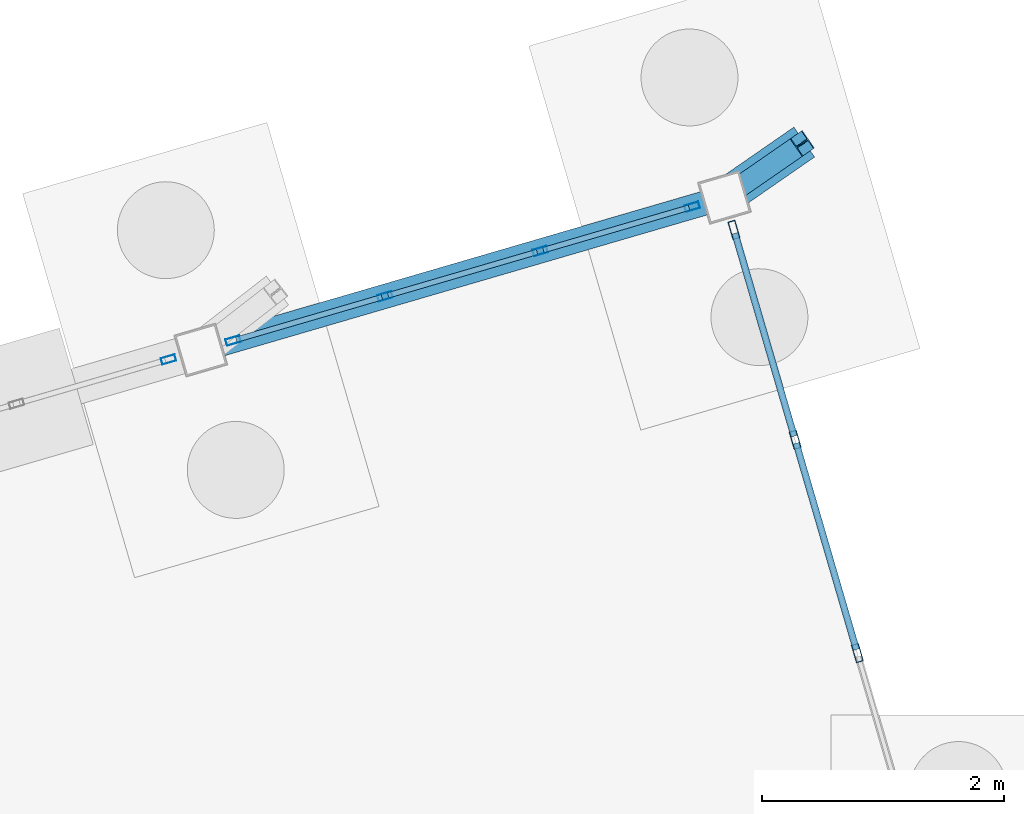
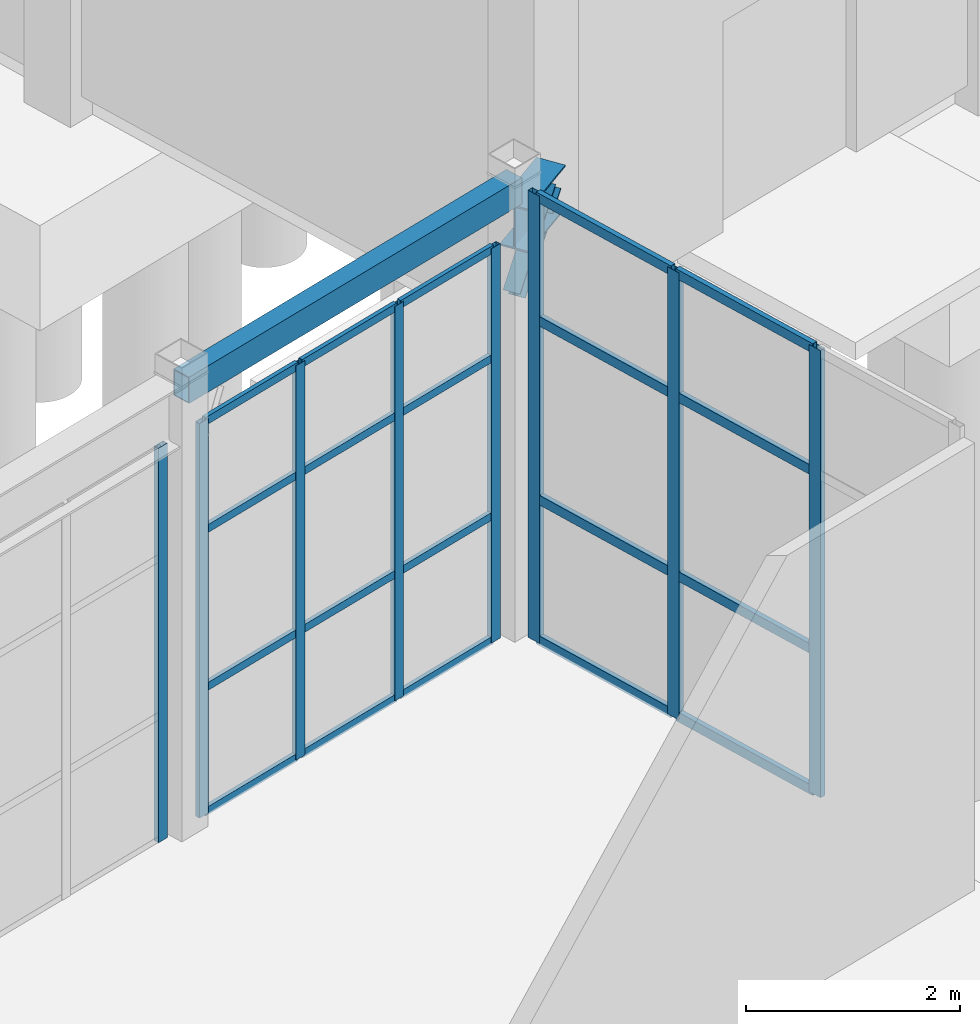
# One storey, part 46 of 90: 29 members, 2 beams, 3 elements without a shape of their own.
"""IFC4 building model written with IfcOpenShell, lengths in metres."""

import ifcopenshell
import ifcopenshell.guid

model = None  # the IFC model being written
_history = None  # IfcOwnerHistory: only IFC2X3 demands one
_inside = {}  # id of a spatial element -> (the spatial element, [elements in it])
_under = {}  # id of a project, library or spatial element -> (it, [spatial elements below it])
_declared = {}  # id of a project -> (the project, [libraries it declares])
_typed = {}  # id of a type object -> (the type object, [elements of that type])
_made_of = {}  # id of a material, layer set ... -> (it, [elements and type objects made of it])


def new_model(schema):
    """Start an empty IFC model of exactly this schema.

    Asked for "IFC4X3", IfcOpenShell would pick the latest addendum, in which some entities
    have other attributes; the version numbers below select the first issue.
    IFC2X3 requires an IfcOwnerHistory on every rooted entity: one is made here for all.
    """
    global model, _history
    if schema == "IFC4X3":
        model = ifcopenshell.file(schema_version=(4, 3, 0, 0))
    else:
        model = ifcopenshell.file(schema=schema)
    _inside.clear()
    _under.clear()
    _declared.clear()
    _typed.clear()
    _made_of.clear()
    _history = None
    if model.schema == "IFC2X3":
        org = make("IfcOrganization", Name="unknown")
        user = make(
            "IfcPersonAndOrganization",
            ThePerson=make("IfcPerson", FamilyName="unknown"),
            TheOrganization=org,
        )
        app = make(
            "IfcApplication",
            ApplicationDeveloper=org,
            Version="unknown",
            ApplicationFullName="unknown",
            ApplicationIdentifier="unknown",
        )
        _history = make(
            "IfcOwnerHistory",
            OwningUser=user,
            OwningApplication=app,
            ChangeAction="ADDED",
            CreationDate=0,
        )
    return model


def make(cls, **values):
    """One entity of the class cls with the attributes given. An attribute that is None is left unset."""
    return model.create_entity(
        cls, **{name: value for name, value in values.items() if value is not None}
    )


def rooted(cls, **values):
    """An entity with a GlobalId (a new one), such as an element, a storey or a relation."""
    return make(cls, GlobalId=ifcopenshell.guid.new(), OwnerHistory=_history, **values)


def si_unit(unit_type, name, prefix=None):
    """IfcSIUnit, for example si_unit("LENGTHUNIT", "METRE", prefix="MILLI")."""
    return make("IfcSIUnit", UnitType=unit_type, Prefix=prefix, Name=name)


def assignment(units):
    """IfcUnitAssignment: the units of a project."""
    return None if units is None else make("IfcUnitAssignment", Units=units)


def point(xyz):
    """IfcCartesianPoint."""
    return None if xyz is None else make("IfcCartesianPoint", Coordinates=xyz)


def direction(xyz):
    """IfcDirection."""
    return None if xyz is None else make("IfcDirection", DirectionRatios=xyz)


def frame(location, z_axis=None, x_axis=None):
    """IfcAxis2Placement3D, a coordinate frame: its origin and axes. An axis left out is left unset."""
    return make(
        "IfcAxis2Placement3D",
        Location=point(location),
        Axis=direction(z_axis),
        RefDirection=direction(x_axis),
    )


def frame_2d(location, x_axis=None):
    """IfcAxis2Placement2D, a coordinate frame in the plane: its origin and x axis."""
    return make(
        "IfcAxis2Placement2D", Location=point(location), RefDirection=direction(x_axis)
    )


def origin():
    """The frame at (0, 0, 0) with its axes left unset."""
    return frame((0.0, 0.0, 0.0))


def origin_2d():
    """The frame at (0, 0) in the plane with its x axis left unset."""
    return frame_2d((0.0, 0.0))


def place(relative_to, where):
    """IfcLocalPlacement: puts the frame where relative to a parent placement (None: the world)."""
    return make(
        "IfcLocalPlacement", PlacementRelTo=relative_to, RelativePlacement=where
    )


def context(
    kind, dimensions, precision=None, world=None, true_north=None, identifier=None
):
    """IfcGeometricRepresentationContext, for example the 3D "Model" context."""
    return make(
        "IfcGeometricRepresentationContext",
        ContextIdentifier=identifier,
        ContextType=kind,
        CoordinateSpaceDimension=dimensions,
        Precision=precision,
        WorldCoordinateSystem=world,
        TrueNorth=true_north,
    )


def subcontext(parent, identifier, kind, view, scale=None):
    """IfcGeometricRepresentationSubContext, for example "Body" below "Model"."""
    return make(
        "IfcGeometricRepresentationSubContext",
        ContextIdentifier=identifier,
        ContextType=kind,
        ParentContext=parent,
        TargetScale=scale,
        TargetView=view,
    )


def project(units=None, contexts=None):
    """IfcProject with its units and contexts."""
    return rooted(
        "IfcProject",
        Name="project",
        RepresentationContexts=contexts,
        UnitsInContext=assignment(units),
    )


def spatial(cls, under=None, at=None, **own):
    """A site, building, storey or space (cls), placed at a placement, below another one or the project."""
    s = rooted(cls, ObjectPlacement=at, **own)
    if under is not None:
        _under.setdefault(under.id(), (under, []))[1].append(s)
    return s


def profile(cls, at=None, kind="AREA", **sizes):
    """A parametric profile (cls). Its sizes go by their IFC names, for example OverallWidth=200.0."""
    return make(cls, ProfileType=kind, Position=at, **sizes)


def hollow_rectangle(**sizes):
    """IfcRectangleHollowProfileDef."""
    return profile("IfcRectangleHollowProfileDef", **sizes)


def i_section(**sizes):
    """IfcIShapeProfileDef."""
    return profile("IfcIShapeProfileDef", **sizes)


def extrude(swept, where, along, depth):
    """IfcExtrudedAreaSolid: the profile swept, set in the frame where, extruded along a direction by depth."""
    return make(
        "IfcExtrudedAreaSolid",
        SweptArea=swept,
        Position=where,
        ExtrudedDirection=direction(along),
        Depth=depth,
    )


def shape(context_of_items, identifier, shape_type, items):
    """IfcShapeRepresentation: the items that make up one representation, for example the "Body"."""
    return make(
        "IfcShapeRepresentation",
        ContextOfItems=context_of_items,
        RepresentationIdentifier=identifier,
        RepresentationType=shape_type,
        Items=items,
    )


def material(Name=None, Category=None):
    """IfcMaterial."""
    return make("IfcMaterial", Name=Name, Category=Category)


def layer(
    of_material, thickness, ventilated=None, Name=None, Category=None, Priority=None
):
    """IfcMaterialLayer: one layer of a wall or slab, of a material (None: an air gap)."""
    return make(
        "IfcMaterialLayer",
        Material=of_material,
        LayerThickness=thickness,
        IsVentilated=ventilated,
        Name=Name,
        Category=Category,
        Priority=Priority,
    )


def layer_set(layers, Name=None):
    """IfcMaterialLayerSet."""
    return make("IfcMaterialLayerSet", MaterialLayers=layers, LayerSetName=Name)


def material_profile(
    of_material, cross_section, Name=None, Category=None, Priority=None
):
    """IfcMaterialProfile: a cross section and its material."""
    return make(
        "IfcMaterialProfile",
        Name=Name,
        Material=of_material,
        Profile=cross_section,
        Priority=Priority,
        Category=Category,
    )


def profile_set(profiles, Name=None, composite=None):
    """IfcMaterialProfileSet."""
    return make(
        "IfcMaterialProfileSet",
        Name=Name,
        MaterialProfiles=profiles,
        CompositeProfile=composite,
    )


def made_of(thing, what):
    """Note that an element or type object is made of a material, layer set ...; save() writes the relation."""
    if what is not None:
        _made_of.setdefault(what.id(), (what, []))[1].append(thing)
    return thing


def type_object(cls, material=None, **own):
    """A type object (cls), such as IfcWallType, which elements share."""
    return made_of(rooted(cls, **own), material)


def element(
    cls,
    number,
    at=None,
    inside=None,
    cuts=None,
    type_object=None,
    material=None,
    context=None,
    identifier="Body",
    shape_type=None,
    held_by="IfcProductDefinitionShape",
    body=None,
    shapes=None,
    **own,
):
    """One element of the class cls, such as IfcWall. Its Tag is "e" and its number.

    at: its placement. inside: the storey or other place that contains it. cuts: it is an
    opening in that element (IfcRelVoidsElement). A single representation is given by context,
    identifier, shape_type and body (its items); several are given by shapes. held_by: the class
    of the entity that holds the representations. save() writes the other relations.
    """
    e = rooted(cls, Tag="e%d" % number, ObjectPlacement=at, **own)
    if body is not None:
        shapes = [shape(context, identifier, shape_type, body)]
    if shapes is not None:
        e.Representation = make(held_by, Representations=shapes)
    if inside is not None:
        _inside.setdefault(inside.id(), (inside, []))[1].append(e)
    if cuts is not None:
        rooted(
            "IfcRelVoidsElement", RelatingBuildingElement=cuts, RelatedOpeningElement=e
        )
    if type_object is not None:
        _typed.setdefault(type_object.id(), (type_object, []))[1].append(e)
    return made_of(e, material)


def aggregate(whole, parts):
    """IfcRelAggregates: a whole, such as a stair, and the parts it consists of."""
    return rooted("IfcRelAggregates", RelatingObject=whole, RelatedObjects=parts)


def save(model, path):
    """Write the relations noted so far, then the file.

    IfcRelAggregates (storeys below a building ...), IfcRelContainedInSpatialStructure (elements
    in a storey), IfcRelDefinesByType, IfcRelAssociatesMaterial and IfcRelDeclares: one each for
    every whole, place, type object, material and project.
    """
    for whole, parts in _under.values():
        aggregate(whole, parts)
    for where, things in _inside.values():
        rooted(
            "IfcRelContainedInSpatialStructure",
            RelatedElements=things,
            RelatingStructure=where,
        )
    for kind, things in _typed.values():
        rooted("IfcRelDefinesByType", RelatedObjects=things, RelatingType=kind)
    for what, things in _made_of.values():
        rooted("IfcRelAssociatesMaterial", RelatedObjects=things, RelatingMaterial=what)
    for by, libraries in _declared.values():
        rooted("IfcRelDeclares", RelatingContext=by, RelatedDefinitions=libraries)
    model.write(path)


model = new_model("IFC4")

# Units and contexts
model_context = context("Model", 3, precision=1e-05, world=origin(), true_north=direction((0.0, 1.0)))
body_context = subcontext(model_context, "Body", "Model", "MODEL_VIEW")
ifc_project = project(units=[si_unit("LENGTHUNIT", "METRE"), si_unit("AREAUNIT", "SQUARE_METRE"), si_unit("VOLUMEUNIT", "CUBIC_METRE"), si_unit("PLANEANGLEUNIT", "RADIAN"), si_unit("MASSUNIT", "GRAM", prefix="KILO")], contexts=[model_context])

# Site, building, storey
site_placement = place(None, origin())
site = spatial("IfcSite", under=ifc_project, at=site_placement, CompositionType="ELEMENT")
building_placement = place(site_placement, origin())
building = spatial("IfcBuilding", under=site, at=building_placement, Name="Canggui Botanical Conservatory", CompositionType="ELEMENT")
storey_placement = place(building_placement, origin())
storey = spatial("IfcBuildingStorey", under=building, at=storey_placement, Name="L01", CompositionType="ELEMENT", Elevation=0.0)

# Beams
ifc_material_1 = material(Name="Steel Q355B", Category="steel")
ifc_material_profile_1 = material_profile(ifc_material_1, i_section(OverallWidth=0.300048828125, OverallDepth=0.5, WebThickness=0.010986328125, FlangeThickness=0.01806640625, FilletRadius=0.02392578125, at=origin_2d()), Name="HM 500x300x11x18")
ifc_profile_set_1 = profile_set([ifc_material_profile_1], Name="Steel Q355B")
beam_type_1 = type_object("IfcBeamType", Name="BM-GL01", PredefinedType="BEAM", material=ifc_profile_set_1)
beam_1_placement = place(storey_placement, frame((63.43994140625, 85.919921875, 4.56005859375), z_axis=(0.822159242883, 0.569257568542, 0.0), x_axis=(-0.569257568542, 0.822159242883, 0.0)))
element("IfcBeam", 1, at=beam_1_placement, inside=storey, type_object=beam_type_1, Name="SB-03 Seismic-Joint Structural Bearing Corbel Seat 2", PredefinedType="BEAM", context=body_context, shape_type="SweptSolid", body=[
    extrude(i_section(OverallWidth=0.300048828125, OverallDepth=0.5, WebThickness=0.010986328125, FlangeThickness=0.01806640625, FilletRadius=0.02392578125, at=origin_2d()), origin(), (0.0, 0.0, 1.0), 0.80029296875),
])
ifc_material_profile_2 = material_profile(ifc_material_1, hollow_rectangle(XDim=0.199951171875, YDim=0.300048828125, WallThickness=0.010009765625, at=origin_2d()), Name="RHS 200x300x10")
ifc_profile_set_2 = profile_set([ifc_material_profile_2], Name="Steel Q355B")
beam_type_2 = type_object("IfcBeamType", Name="BM-GL11", PredefinedType="BEAM", material=ifc_profile_set_2)
beam_2_placement = place(storey_placement, frame((59.1201171875, 84.659912109375, 5.02490234375), z_axis=(0.959996353951, 0.280012500437, 0.0), x_axis=(-0.280012500437, 0.959996353951, 0.0)))
element("IfcBeam", 2, at=beam_2_placement, inside=storey, type_object=beam_type_2, Name="Conservatory Skywalk Perimeter Girder V1-14", PredefinedType="BEAM", context=body_context, shape_type="SweptSolid", body=[
    extrude(hollow_rectangle(XDim=0.199951171875, YDim=0.300048828125, WallThickness=0.010009765625, at=origin_2d()), origin(), (0.0, 0.0, 1.0), 4.499755859375),
])

# Curtain wall, members
ifc_material_2 = material(Name="Thermally Broken Aluminium", Category="aluminium")
ifc_layer_1 = layer(ifc_material_2, 0.14990234375, Name="Thermally Broken Aluminium", Category="aluminium")
ifc_layer_set_1 = layer_set([ifc_layer_1], Name="Thermally Broken Aluminium")
curtain_wall_type_1 = type_object("IfcCurtainWallType", Name="CW-UNIT-C", PredefinedType="USERDEFINED", material=ifc_layer_set_1)
curtain_wall_1_placement = place(storey_placement, origin())
curtain_wall_1 = element("IfcCurtainWall", 3, at=curtain_wall_1_placement, inside=storey, type_object=curtain_wall_type_1, Name="Facade Curtain Wall CW-CONS-GABLE-N-05", ObjectType="UNITISED CURTAIN WALL", PredefinedType="USERDEFINED")
ifc_material_profile_3 = material_profile(ifc_material_2, hollow_rectangle(XDim=0.06005859375, YDim=0.14990234375, WallThickness=0.00341796875, at=origin_2d()), Name="CWM 60x150x3.5")
ifc_profile_set_3 = profile_set([ifc_material_profile_3], Name="Thermally Broken Aluminium")
member_type_1 = type_object("IfcMemberType", Name="CWM-03", PredefinedType="MULLION", material=ifc_profile_set_3)
member_1_placement = place(storey_placement, frame((64.53662109375, 82.159912109375, 0.0), z_axis=(0.0, 0.0, 1.0), x_axis=(-0.960000000002, -0.279999999995, 0.0)))
member_1 = element("IfcMember", 4, at=member_1_placement, type_object=member_type_1, Name="CW-03 mullion 2", PredefinedType="MULLION", context=body_context, shape_type="SweptSolid", body=[
    extrude(hollow_rectangle(XDim=0.06005859375, YDim=0.14990234375, WallThickness=0.00341796875, at=origin_2d()), origin(), (0.0, 0.0, 1.0), 5.10009765625),
])
member_2_placement = place(storey_placement, frame((64.0234375, 83.919921875, 0.0), z_axis=(0.0, 0.0, 1.0), x_axis=(-0.960000000002, -0.279999999995, 0.0)))
member_2 = element("IfcMember", 5, at=member_2_placement, type_object=member_type_1, Name="CW-03 mullion 3", PredefinedType="MULLION", context=body_context, shape_type="SweptSolid", body=[
    extrude(hollow_rectangle(XDim=0.06005859375, YDim=0.14990234375, WallThickness=0.00341796875, at=origin_2d()), origin(), (0.0, 0.0, 1.0), 5.10009765625),
])
member_3_placement = place(storey_placement, frame((63.518310546875, 85.651123046875, 0.0), z_axis=(0.0, 0.0, 1.0), x_axis=(-0.960000000002, -0.279999999995, 0.0)))
member_3 = element("IfcMember", 6, at=member_3_placement, type_object=member_type_1, Name="CW-03 mullion 4", PredefinedType="MULLION", context=body_context, shape_type="SweptSolid", body=[
    extrude(hollow_rectangle(XDim=0.06005859375, YDim=0.14990234375, WallThickness=0.00341796875, at=origin_2d()), origin(), (0.0, 0.0, 1.0), 5.10009765625),
])

# Curtain wall, member
ifc_layer_2 = layer(ifc_material_2, 0.1201171875, Name="Thermally Broken Aluminium", Category="aluminium")
ifc_layer_set_2 = layer_set([ifc_layer_2], Name="Thermally Broken Aluminium")
curtain_wall_type_2 = type_object("IfcCurtainWallType", Name="CW-STICK-B", PredefinedType="USERDEFINED", material=ifc_layer_set_2)
curtain_wall_2_placement = place(storey_placement, origin())
curtain_wall_2 = element("IfcCurtainWall", 7, at=curtain_wall_2_placement, inside=storey, type_object=curtain_wall_type_2, Name="Facade Curtain Wall CW-CONS-L01-V1-13", ObjectType="STICK GLAZED WALL", PredefinedType="USERDEFINED")
ifc_material_profile_4 = material_profile(ifc_material_2, hollow_rectangle(XDim=0.054931640625, YDim=0.1201171875, WallThickness=0.0029296875, at=origin_2d()), Name="CWM 55x120x3")
ifc_profile_set_4 = profile_set([ifc_material_profile_4], Name="Thermally Broken Aluminium")
member_type_2 = type_object("IfcMemberType", Name="CWM-05", PredefinedType="MULLION", material=ifc_profile_set_4)
member_4_placement = place(storey_placement, frame((58.853515625, 84.582275390625, 0.0), z_axis=(0.0, 0.0, 1.0), x_axis=(-0.279999999995, 0.960000000002, 0.0)))
member_4 = element("IfcMember", 8, at=member_4_placement, type_object=member_type_2, Name="CW-05 mullion 4", PredefinedType="MULLION", context=body_context, shape_type="SweptSolid", body=[
    extrude(hollow_rectangle(XDim=0.054931640625, YDim=0.1201171875, WallThickness=0.0029296875, at=origin_2d()), origin(), (0.0, 0.0, 1.0), 4.5),
])
aggregate(curtain_wall_2, [member_4])

# Curtain wall, members
curtain_wall_3_placement = place(storey_placement, origin())
curtain_wall_3 = element("IfcCurtainWall", 9, at=curtain_wall_3_placement, inside=storey, type_object=curtain_wall_type_2, Name="Facade Curtain Wall CW-CONS-L01-V1-14", ObjectType="STICK GLAZED WALL", PredefinedType="USERDEFINED")
member_5_placement = place(storey_placement, frame((59.386474609375, 84.73779296875, 0.0), z_axis=(0.0, 0.0, 1.0), x_axis=(-0.279999999995, 0.960000000002, 0.0)))
member_5 = element("IfcMember", 10, at=member_5_placement, type_object=member_type_2, Name="CW-05 mullion 1", PredefinedType="MULLION", context=body_context, shape_type="SweptSolid", body=[
    extrude(hollow_rectangle(XDim=0.054931640625, YDim=0.1201171875, WallThickness=0.0029296875, at=origin_2d()), origin(), (0.0, 0.0, 1.0), 4.5),
])
member_6_placement = place(storey_placement, frame((60.639892578125, 85.103271484375, 0.0), z_axis=(0.0, 0.0, 1.0), x_axis=(-0.279999999995, 0.960000000002, 0.0)))
member_6 = element("IfcMember", 11, at=member_6_placement, type_object=member_type_2, Name="CW-05 mullion 2", PredefinedType="MULLION", context=body_context, shape_type="SweptSolid", body=[
    extrude(hollow_rectangle(XDim=0.054931640625, YDim=0.1201171875, WallThickness=0.0029296875, at=origin_2d()), origin(), (0.0, 0.0, 1.0), 4.5),
])
member_7_placement = place(storey_placement, frame((61.919921875, 85.4765625, 0.0), z_axis=(0.0, 0.0, 1.0), x_axis=(-0.279999999995, 0.960000000002, 0.0)))
member_7 = element("IfcMember", 12, at=member_7_placement, type_object=member_type_2, Name="CW-05 mullion 3", PredefinedType="MULLION", context=body_context, shape_type="SweptSolid", body=[
    extrude(hollow_rectangle(XDim=0.054931640625, YDim=0.1201171875, WallThickness=0.0029296875, at=origin_2d()), origin(), (0.0, 0.0, 1.0), 4.5),
])
member_8_placement = place(storey_placement, frame((63.173583984375, 85.84228515625, 0.0), z_axis=(0.0, 0.0, 1.0), x_axis=(-0.279999999995, 0.960000000002, 0.0)))
member_8 = element("IfcMember", 13, at=member_8_placement, type_object=member_type_2, Name="CW-05 mullion 4", PredefinedType="MULLION", context=body_context, shape_type="SweptSolid", body=[
    extrude(hollow_rectangle(XDim=0.054931640625, YDim=0.1201171875, WallThickness=0.0029296875, at=origin_2d()), origin(), (0.0, 0.0, 1.0), 4.5),
])

# Member
ifc_material_profile_5 = material_profile(ifc_material_2, hollow_rectangle(XDim=0.054931640625, YDim=0.110107421875, WallThickness=0.0029296875, at=origin_2d()), Name="CWT 55x110x3")
ifc_profile_set_5 = profile_set([ifc_material_profile_5], Name="Thermally Broken Aluminium")
member_type_3 = type_object("IfcMemberType", Name="CWT-03", PredefinedType="USERDEFINED", material=ifc_profile_set_5)
member_9_placement = place(storey_placement, frame((64.5283203125, 82.188720703125, 0.027587890625), z_axis=(-0.280026433067, 0.95999228996, 0.0), x_axis=(-0.95999228996, -0.280026433067, 0.0)))
member_9 = element("IfcMember", 14, at=member_9_placement, type_object=member_type_3, Name="CW-03 transom 2.1", ObjectType="TRANSOM", PredefinedType="USERDEFINED", context=body_context, shape_type="SweptSolid", body=[
    extrude(hollow_rectangle(XDim=0.054931640625, YDim=0.110107421875, WallThickness=0.0029296875, at=origin_2d()), origin(), (0.0, 0.0, 1.0), 1.7734375),
])

member_10_placement = place(storey_placement, frame((64.5283203125, 82.188720703125, 1.632080078125), z_axis=(-0.280026433067, 0.95999228996, 0.0), x_axis=(-0.95999228996, -0.280026433067, 0.0)))
member_10 = element("IfcMember", 15, at=member_10_placement, type_object=member_type_3, Name="CW-03 transom 2.2", ObjectType="TRANSOM", PredefinedType="USERDEFINED", context=body_context, shape_type="SweptSolid", body=[
    extrude(hollow_rectangle(XDim=0.054931640625, YDim=0.110107421875, WallThickness=0.0029296875, at=origin_2d()), origin(), (0.0, 0.0, 1.0), 1.7734375),
])

member_11_placement = place(storey_placement, frame((64.5283203125, 82.188720703125, 3.672119140625), z_axis=(-0.280026433067, 0.95999228996, 0.0), x_axis=(-0.95999228996, -0.280026433067, 0.0)))
member_11 = element("IfcMember", 16, at=member_11_placement, type_object=member_type_3, Name="CW-03 transom 2.3", ObjectType="TRANSOM", PredefinedType="USERDEFINED", context=body_context, shape_type="SweptSolid", body=[
    extrude(hollow_rectangle(XDim=0.054931640625, YDim=0.110107421875, WallThickness=0.0029296875, at=origin_2d()), origin(), (0.0, 0.0, 1.0), 1.7734375),
])

member_12_placement = place(storey_placement, frame((64.5283203125, 82.188720703125, 5.072509765625), z_axis=(-0.280026433067, 0.95999228996, 0.0), x_axis=(-0.95999228996, -0.280026433067, 0.0)))
member_12 = element("IfcMember", 17, at=member_12_placement, type_object=member_type_3, Name="CW-03 transom 2.4", ObjectType="TRANSOM", PredefinedType="USERDEFINED", context=body_context, shape_type="SweptSolid", body=[
    extrude(hollow_rectangle(XDim=0.054931640625, YDim=0.110107421875, WallThickness=0.0029296875, at=origin_2d()), origin(), (0.0, 0.0, 1.0), 1.7734375),
])

member_13_placement = place(storey_placement, frame((64.014892578125, 83.94873046875, 0.027587890625), z_axis=(-0.279951599808, 0.960014115399, 0.0), x_axis=(-0.960014115399, -0.279951599808, 0.0)))
member_13 = element("IfcMember", 18, at=member_13_placement, type_object=member_type_3, Name="CW-03 transom 3.1", ObjectType="TRANSOM", PredefinedType="USERDEFINED", context=body_context, shape_type="SweptSolid", body=[
    extrude(hollow_rectangle(XDim=0.054931640625, YDim=0.110107421875, WallThickness=0.0029296875, at=origin_2d()), origin(), (0.0, 0.0, 1.0), 1.743408203125),
])

member_14_placement = place(storey_placement, frame((64.014892578125, 83.94873046875, 1.632080078125), z_axis=(-0.279951599808, 0.960014115399, 0.0), x_axis=(-0.960014115399, -0.279951599808, 0.0)))
member_14 = element("IfcMember", 19, at=member_14_placement, type_object=member_type_3, Name="CW-03 transom 3.2", ObjectType="TRANSOM", PredefinedType="USERDEFINED", context=body_context, shape_type="SweptSolid", body=[
    extrude(hollow_rectangle(XDim=0.054931640625, YDim=0.110107421875, WallThickness=0.0029296875, at=origin_2d()), origin(), (0.0, 0.0, 1.0), 1.743408203125),
])

member_15_placement = place(storey_placement, frame((64.014892578125, 83.94873046875, 3.672119140625), z_axis=(-0.279951599808, 0.960014115399, 0.0), x_axis=(-0.960014115399, -0.279951599808, 0.0)))
member_15 = element("IfcMember", 20, at=member_15_placement, type_object=member_type_3, Name="CW-03 transom 3.3", ObjectType="TRANSOM", PredefinedType="USERDEFINED", context=body_context, shape_type="SweptSolid", body=[
    extrude(hollow_rectangle(XDim=0.054931640625, YDim=0.110107421875, WallThickness=0.0029296875, at=origin_2d()), origin(), (0.0, 0.0, 1.0), 1.743408203125),
])

member_16_placement = place(storey_placement, frame((64.014892578125, 83.94873046875, 5.072509765625), z_axis=(-0.279951599808, 0.960014115399, 0.0), x_axis=(-0.960014115399, -0.279951599808, 0.0)))
member_16 = element("IfcMember", 21, at=member_16_placement, type_object=member_type_3, Name="CW-03 transom 3.4", ObjectType="TRANSOM", PredefinedType="USERDEFINED", context=body_context, shape_type="SweptSolid", body=[
    extrude(hollow_rectangle(XDim=0.054931640625, YDim=0.110107421875, WallThickness=0.0029296875, at=origin_2d()), origin(), (0.0, 0.0, 1.0), 1.743408203125),
])

aggregate(curtain_wall_1, [member_1, member_2, member_3, member_9, member_10, member_11, member_12, member_13, member_14, member_15, member_16])

ifc_material_profile_6 = material_profile(ifc_material_2, hollow_rectangle(XDim=0.044921875, YDim=0.090087890625, WallThickness=0.0029296875, at=origin_2d()), Name="CWT 45x90x3")
ifc_profile_set_6 = profile_set([ifc_material_profile_6], Name="Thermally Broken Aluminium")
member_type_4 = type_object("IfcMemberType", Name="CWT-05", PredefinedType="USERDEFINED", material=ifc_profile_set_6)
member_17_placement = place(storey_placement, frame((59.412841796875, 84.745361328125, 0.0224609375), z_axis=(0.959969387677, 0.2801049352, 0.0), x_axis=(-0.2801049352, 0.959969387677, 0.0)))
member_17 = element("IfcMember", 22, at=member_17_placement, type_object=member_type_4, Name="CW-05 transom 1.1", ObjectType="TRANSOM", PredefinedType="USERDEFINED", context=body_context, shape_type="SweptSolid", body=[
    extrude(hollow_rectangle(XDim=0.044921875, YDim=0.090087890625, WallThickness=0.0029296875, at=origin_2d()), origin(), (0.0, 0.0, 1.0), 1.250732421875),
])

member_18_placement = place(storey_placement, frame((59.412841796875, 84.745361328125, 1.43994140625), z_axis=(0.959969387677, 0.2801049352, 0.0), x_axis=(-0.2801049352, 0.959969387677, 0.0)))
member_18 = element("IfcMember", 23, at=member_18_placement, type_object=member_type_4, Name="CW-05 transom 1.2", ObjectType="TRANSOM", PredefinedType="USERDEFINED", context=body_context, shape_type="SweptSolid", body=[
    extrude(hollow_rectangle(XDim=0.044921875, YDim=0.090087890625, WallThickness=0.0029296875, at=origin_2d()), origin(), (0.0, 0.0, 1.0), 1.250732421875),
])

member_19_placement = place(storey_placement, frame((59.412841796875, 84.745361328125, 3.239990234375), z_axis=(0.959969387677, 0.2801049352, 0.0), x_axis=(-0.2801049352, 0.959969387677, 0.0)))
member_19 = element("IfcMember", 24, at=member_19_placement, type_object=member_type_4, Name="CW-05 transom 1.3", ObjectType="TRANSOM", PredefinedType="USERDEFINED", context=body_context, shape_type="SweptSolid", body=[
    extrude(hollow_rectangle(XDim=0.044921875, YDim=0.090087890625, WallThickness=0.0029296875, at=origin_2d()), origin(), (0.0, 0.0, 1.0), 1.250732421875),
])

member_20_placement = place(storey_placement, frame((59.412841796875, 84.745361328125, 4.4775390625), z_axis=(0.959969387677, 0.2801049352, 0.0), x_axis=(-0.2801049352, 0.959969387677, 0.0)))
member_20 = element("IfcMember", 25, at=member_20_placement, type_object=member_type_4, Name="CW-05 transom 1.4", ObjectType="TRANSOM", PredefinedType="USERDEFINED", context=body_context, shape_type="SweptSolid", body=[
    extrude(hollow_rectangle(XDim=0.044921875, YDim=0.090087890625, WallThickness=0.0029296875, at=origin_2d()), origin(), (0.0, 0.0, 1.0), 1.250732421875),
])

member_21_placement = place(storey_placement, frame((60.66650390625, 85.111083984375, 0.0224609375), z_axis=(0.959995721355, 0.280014669221, 0.0), x_axis=(-0.280014669221, 0.959995721355, 0.0)))
member_21 = element("IfcMember", 26, at=member_21_placement, type_object=member_type_4, Name="CW-05 transom 2.1", ObjectType="TRANSOM", PredefinedType="USERDEFINED", context=body_context, shape_type="SweptSolid", body=[
    extrude(hollow_rectangle(XDim=0.044921875, YDim=0.090087890625, WallThickness=0.0029296875, at=origin_2d()), origin(), (0.0, 0.0, 1.0), 1.278076171875),
])

member_22_placement = place(storey_placement, frame((60.66650390625, 85.111083984375, 1.43994140625), z_axis=(0.959995721355, 0.280014669221, 0.0), x_axis=(-0.280014669221, 0.959995721355, 0.0)))
member_22 = element("IfcMember", 27, at=member_22_placement, type_object=member_type_4, Name="CW-05 transom 2.2", ObjectType="TRANSOM", PredefinedType="USERDEFINED", context=body_context, shape_type="SweptSolid", body=[
    extrude(hollow_rectangle(XDim=0.044921875, YDim=0.090087890625, WallThickness=0.0029296875, at=origin_2d()), origin(), (0.0, 0.0, 1.0), 1.278076171875),
])

member_23_placement = place(storey_placement, frame((60.66650390625, 85.111083984375, 3.239990234375), z_axis=(0.959995721355, 0.280014669221, 0.0), x_axis=(-0.280014669221, 0.959995721355, 0.0)))
member_23 = element("IfcMember", 28, at=member_23_placement, type_object=member_type_4, Name="CW-05 transom 2.3", ObjectType="TRANSOM", PredefinedType="USERDEFINED", context=body_context, shape_type="SweptSolid", body=[
    extrude(hollow_rectangle(XDim=0.044921875, YDim=0.090087890625, WallThickness=0.0029296875, at=origin_2d()), origin(), (0.0, 0.0, 1.0), 1.278076171875),
])

member_24_placement = place(storey_placement, frame((60.66650390625, 85.111083984375, 4.4775390625), z_axis=(0.959995721355, 0.280014669221, 0.0), x_axis=(-0.280014669221, 0.959995721355, 0.0)))
member_24 = element("IfcMember", 29, at=member_24_placement, type_object=member_type_4, Name="CW-05 transom 2.4", ObjectType="TRANSOM", PredefinedType="USERDEFINED", context=body_context, shape_type="SweptSolid", body=[
    extrude(hollow_rectangle(XDim=0.044921875, YDim=0.090087890625, WallThickness=0.0029296875, at=origin_2d()), origin(), (0.0, 0.0, 1.0), 1.278076171875),
])

member_25_placement = place(storey_placement, frame((61.9462890625, 85.484375, 0.0224609375), z_axis=(0.95998469814, 0.280052458189, 0.0), x_axis=(-0.280052458189, 0.95998469814, 0.0)))
member_25 = element("IfcMember", 30, at=member_25_placement, type_object=member_type_4, Name="CW-05 transom 3.1", ObjectType="TRANSOM", PredefinedType="USERDEFINED", context=body_context, shape_type="SweptSolid", body=[
    extrude(hollow_rectangle(XDim=0.044921875, YDim=0.090087890625, WallThickness=0.0029296875, at=origin_2d()), origin(), (0.0, 0.0, 1.0), 1.2509765625),
])

member_26_placement = place(storey_placement, frame((61.9462890625, 85.484375, 1.43994140625), z_axis=(0.95998469814, 0.280052458189, 0.0), x_axis=(-0.280052458189, 0.95998469814, 0.0)))
member_26 = element("IfcMember", 31, at=member_26_placement, type_object=member_type_4, Name="CW-05 transom 3.2", ObjectType="TRANSOM", PredefinedType="USERDEFINED", context=body_context, shape_type="SweptSolid", body=[
    extrude(hollow_rectangle(XDim=0.044921875, YDim=0.090087890625, WallThickness=0.0029296875, at=origin_2d()), origin(), (0.0, 0.0, 1.0), 1.2509765625),
])

member_27_placement = place(storey_placement, frame((61.9462890625, 85.484375, 3.239990234375), z_axis=(0.95998469814, 0.280052458189, 0.0), x_axis=(-0.280052458189, 0.95998469814, 0.0)))
member_27 = element("IfcMember", 32, at=member_27_placement, type_object=member_type_4, Name="CW-05 transom 3.3", ObjectType="TRANSOM", PredefinedType="USERDEFINED", context=body_context, shape_type="SweptSolid", body=[
    extrude(hollow_rectangle(XDim=0.044921875, YDim=0.090087890625, WallThickness=0.0029296875, at=origin_2d()), origin(), (0.0, 0.0, 1.0), 1.2509765625),
])

member_28_placement = place(storey_placement, frame((61.9462890625, 85.484375, 4.4775390625), z_axis=(0.95998469814, 0.280052458189, 0.0), x_axis=(-0.280052458189, 0.95998469814, 0.0)))
member_28 = element("IfcMember", 33, at=member_28_placement, type_object=member_type_4, Name="CW-05 transom 3.4", ObjectType="TRANSOM", PredefinedType="USERDEFINED", context=body_context, shape_type="SweptSolid", body=[
    extrude(hollow_rectangle(XDim=0.044921875, YDim=0.090087890625, WallThickness=0.0029296875, at=origin_2d()), origin(), (0.0, 0.0, 1.0), 1.2509765625),
])

aggregate(curtain_wall_3, [member_5, member_6, member_7, member_8, member_17, member_18, member_19, member_20, member_21, member_22, member_23, member_24, member_25, member_26, member_27, member_28])

ifc_material_profile_7 = material_profile(ifc_material_1, i_section(OverallWidth=0.175048828125, OverallDepth=0.175048828125, WebThickness=0.007568359375, FlangeThickness=0.010986328125, FilletRadius=0.011962890625, at=origin_2d()), Name="HW 175x175x7.5x11")
ifc_profile_set_7 = profile_set([ifc_material_profile_7], Name="Steel Q355B")
member_type_5 = type_object("IfcMemberType", Name="MEM-STR02", PredefinedType="STRINGER", material=ifc_profile_set_7)
member_29_placement = place(storey_placement, frame((63.43994140625, 85.919921875, 3.800048828125), z_axis=(0.588879374937, 0.407754694713, 0.697823180121), x_axis=(-0.569275072822, 0.822147122761, 0.0)))
element("IfcMember", 34, at=member_29_placement, inside=storey, type_object=member_type_5, Name="SB-03 Corbel Diagonal Knee Strut 2", PredefinedType="BRACE", context=body_context, shape_type="SweptSolid", body=[
    extrude(i_section(OverallWidth=0.175048828125, OverallDepth=0.175048828125, WebThickness=0.007568359375, FlangeThickness=0.010986328125, FilletRadius=0.011962890625, at=origin_2d()), origin(), (0.0, 0.0, 1.0), 1.089111328125),
])

save(model, "model.ifc")
